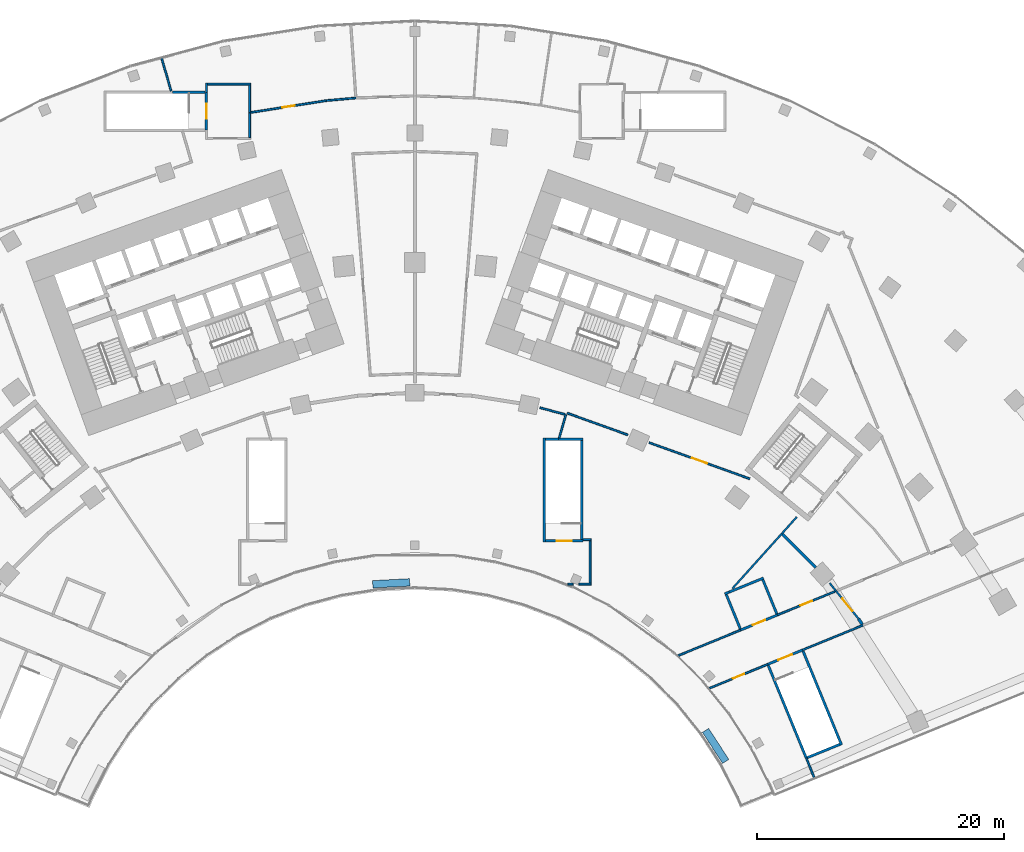
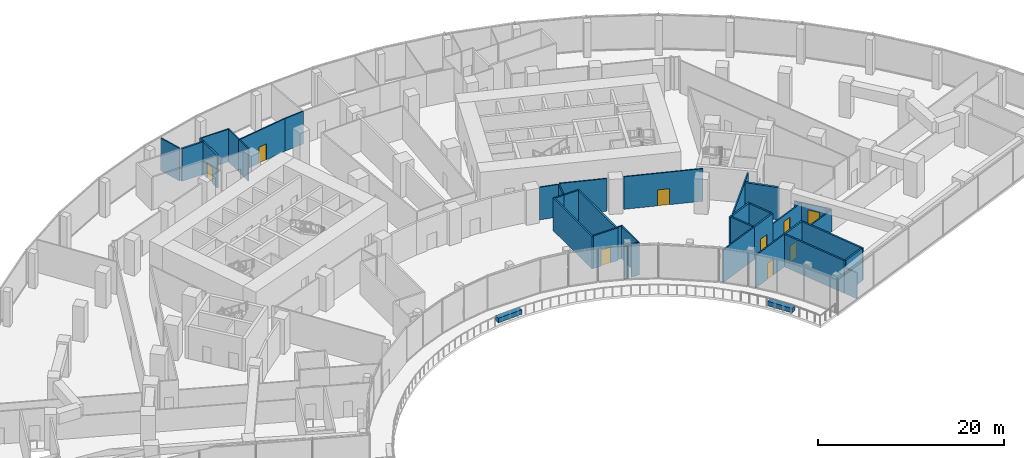
# One storey, part 25 of 33: 44 walls, 9 doors, 9 openings.
"""IFC4 building model written with IfcOpenShell, lengths in metres."""

from ifc_helpers import new_model, si_unit, direction, frame, frame_2d, origin, origin_2d, place, context, subcontext, project, spatial, rectangle, extrude, material, layer, layer_set, type_object, element, fill, save


model = new_model("IFC4")

# Units and contexts
model_context = context("Model", 3, precision=1e-05, world=origin(), true_north=direction((0.0, 1.0)))
body_context = subcontext(model_context, "Body", "Model", "MODEL_VIEW")
ifc_project = project(units=[si_unit("LENGTHUNIT", "METRE"), si_unit("AREAUNIT", "SQUARE_METRE"), si_unit("VOLUMEUNIT", "CUBIC_METRE"), si_unit("PLANEANGLEUNIT", "RADIAN"), si_unit("MASSUNIT", "GRAM", prefix="KILO")], contexts=[model_context])

# Site, building, storey
site_placement = place(None, origin())
site = spatial("IfcSite", under=ifc_project, at=site_placement, CompositionType="ELEMENT")
building_placement = place(site_placement, origin())
building = spatial("IfcBuilding", under=site, at=building_placement, Name="Stone Belt Terrace Tower", CompositionType="ELEMENT")
storey_placement = place(building_placement, frame((0.0, 0.0, 25.39990234375)))
storey = spatial("IfcBuildingStorey", under=building, at=storey_placement, Name="L05", CompositionType="ELEMENT", Elevation=25.39990234375)

# Walls
ifc_material_1 = material(Name="Concrete B30", Category="concrete")
ifc_layer_1 = layer(ifc_material_1, 0.25)
ifc_layer_set_1 = layer_set([ifc_layer_1], Name="Compartment wall 250")
wall_type_1 = type_object("IfcWallType", Name="Compartment wall 250", PredefinedType="SOLIDWALL", material=ifc_layer_set_1)
wall_1_placement = place(storey_placement, frame((29.793212890625, 32.976806640625, 0.0), z_axis=(0.0, 0.0, 1.0), x_axis=(0.707106781187, -0.707106781187, 0.0)))
element("IfcWall", 1, at=wall_1_placement, inside=storey, type_object=wall_type_1, Name="Compartment wall L05 12", PredefinedType="SOLIDWALL", context=body_context, shape_type="SweptSolid", body=[
    extrude(rectangle(XDim=3.807373046875, YDim=0.25, at=frame_2d((1.90380859375, 0.0))), origin(), (0.0, 0.0, 1.0), 4.280029296875),
])
ifc_material_2 = material(Name="Fire-resistant glazing in steel frame", Category="steel")
ifc_layer_2 = layer(ifc_material_2, 0.25)
ifc_layer_set_2 = layer_set([ifc_layer_2], Name="Glazed compartment fire screen 250")
wall_type_2 = type_object("IfcWallType", Name="Glazed compartment fire screen 250", PredefinedType="PARTITIONING", material=ifc_layer_set_2)
wall_2_placement = place(storey_placement, frame((35.96337890625, 26.11474609375, 0.0), z_axis=(0.0, 0.0, 1.0), x_axis=(0.547453853433, -0.836835873013, 0.0)))
element("IfcWall", 2, at=wall_2_placement, inside=storey, type_object=wall_type_2, Name="Compartment fire screen L05 13", PredefinedType="PARTITIONING", context=body_context, shape_type="SweptSolid", body=[
    extrude(rectangle(XDim=0.5146484375, YDim=0.25, at=frame_2d((0.25732421875, 0.0))), origin(), (0.0, 0.0, 1.0), 2.880126953125),
])
ifc_material_3 = material(Name="Precast concrete C40/50", Category="concrete")
ifc_layer_3 = layer(ifc_material_3, 0.60009765625)
ifc_layer_set_3 = layer_set([ifc_layer_3], Name="Planter box 600 x 600")
wall_type_3 = type_object("IfcWallType", Name="Planter box 600 x 600", PredefinedType="SOLIDWALL", material=ifc_layer_set_3)
for number, where, z_axis, x_axis, name in (
    (3, (-1.9150390625, 29.00048828125, 0.0), (0.0, 0.0, 1.0), (0.998629534755, 0.052335956243, 0.0), "PLANTER L05 2"),
    (4, (24.37353515625, 15.826416015625, 0.0), (0.0, 0.0, 1.0), (0.544639035015, -0.838670567945, 0.0), "PLANTER L05 1"),
):
    element("IfcWall", number, at=place(storey_placement, frame(where, z_axis=z_axis, x_axis=x_axis)), inside=storey, type_object=wall_type_3, Name=name, PredefinedType="SOLIDWALL", context=body_context, shape_type="SweptSolid", body=[
        extrude(rectangle(XDim=3.0, YDim=0.60009765625, at=origin_2d()), origin(), (0.0, 0.0, 1.0), 0.60009765625),
    ])
ifc_material_4 = material(Name="Reinforced blockwork wall, plastered both faces", Category="masonry")
ifc_layer_4 = layer(ifc_material_4, 0.199951171875)
ifc_layer_set_4 = layer_set([ifc_layer_4], Name="Podium lift shaft wall 200")
wall_type_4 = type_object("IfcWallType", Name="Podium lift shaft wall 200", PredefinedType="SOLIDWALL", material=ifc_layer_set_4)
wall_3_placement = place(storey_placement, frame((25.107666015625, 28.141845703125, 0.0), z_axis=(0.0, 0.0, 1.0), x_axis=(0.924069997534, 0.38222328508, 0.0)))
element("IfcWall", 5, at=wall_3_placement, inside=storey, type_object=wall_type_4, Name="Podium lift shaft wall 200", PredefinedType="SOLIDWALL", context=body_context, shape_type="SweptSolid", body=[
    extrude(rectangle(XDim=0.3916015625, YDim=0.199951171875, at=frame_2d((0.19580078125, 0.0))), origin(), (0.0, 0.0, 1.0), 4.280029296875),
])
wall_4_placement = place(storey_placement, frame((25.23779296875, 28.08740234375, 0.0), z_axis=(0.0, 0.0, 1.0), x_axis=(0.378442575395, -0.925624771237, 0.0)))
element("IfcWall", 6, at=wall_4_placement, inside=storey, type_object=wall_type_4, Name="Podium lift shaft wall 200", PredefinedType="SOLIDWALL", context=body_context, shape_type="SweptSolid", body=[
    extrude(rectangle(XDim=2.997802734375, YDim=0.199951171875, at=frame_2d((1.4990234375, 0.0))), origin(), (0.0, 0.0, 1.0), 4.280029296875),
])
wall_5_placement = place(storey_placement, frame((25.469970703125, 28.2900390625, 0.0), z_axis=(0.0, 0.0, 1.0), x_axis=(0.925627138915, 0.378436784291, 0.0)))
element("IfcWall", 7, at=wall_5_placement, inside=storey, type_object=wall_type_4, Name="Podium lift shaft wall 200", PredefinedType="SOLIDWALL", context=body_context, shape_type="SweptSolid", body=[
    extrude(rectangle(XDim=3.00634765625, YDim=0.199951171875, at=frame_2d((1.503173828125, 0.0))), origin(), (0.0, 0.0, 1.0), 4.280029296875),
])

# Wall, opening, door
wall_6_placement = place(storey_placement, frame((26.41015625, 25.219970703125, 0.0), z_axis=(0.0, 0.0, 1.0), x_axis=(0.92564908085, 0.378383111571, 0.0)))
wall_6 = element("IfcWall", 8, at=wall_6_placement, inside=storey, type_object=wall_type_4, Name="Podium lift shaft wall 200", PredefinedType="SOLIDWALL", context=body_context, shape_type="SweptSolid", body=[
    extrude(rectangle(XDim=3.19775390625, YDim=0.199951171875, at=frame_2d((1.598876953125, 0.0))), origin(), (0.0, 0.0, 1.0), 4.280029296875),
])
opening_1_placement = place(wall_6_placement, frame((1.048828125, 0.0, 0.0)))
opening_1 = element("IfcOpeningElement", 9, at=opening_1_placement, cuts=wall_6, Name="Opening L05-P10", PredefinedType="OPENING", context=body_context, shape_type="SweptSolid", body=[
    extrude(rectangle(XDim=1.10009765625, YDim=2.10009765625, at=frame_2d((0.550048828125, 1.050048828125))), frame((0.0, 0.10986328125, 0.0), z_axis=(0.0, -1.0, 0.0), x_axis=(1.0, 0.0, 0.0)), (0.0, 0.0, 1.0), 0.219970703125),
])
ifc_material_5 = material(Name="Stainless steel sliding landing door leaf", Category="steel")
door_type_1 = type_object("IfcDoorType", Name="Podium landing door 1100", OperationType="SLIDING_TO_LEFT", PredefinedType="DOOR", material=ifc_material_5)
door_1_placement = place(opening_1_placement, origin())
door_1 = element("IfcDoor", 10, at=door_1_placement, inside=storey, type_object=door_type_1, Name="Podium landing door 1100", OperationType="SLIDING_TO_LEFT", OverallHeight=2.10009765625, OverallWidth=1.10009765625, PredefinedType="DOOR", context=body_context, shape_type="SweptSolid", body=[
    extrude(rectangle(XDim=1.10009765625, YDim=2.10009765625, at=frame_2d((0.550048828125, 1.050048828125))), frame((0.0, 0.02490234375, 0.0), z_axis=(0.0, -1.0, 0.0), x_axis=(1.0, 0.0, 0.0)), (0.0, 0.0, 1.0), 0.050048828125),
])
fill(opening_1, door_1)

# Walls
wall_7_placement = place(storey_placement, frame((28.19775390625, 29.29736328125, 0.0), z_axis=(0.0, 0.0, 1.0), x_axis=(0.378471104771, -0.925613106461, 0.0)))
element("IfcWall", 11, at=wall_7_placement, inside=storey, type_object=wall_type_4, Name="Podium lift shaft wall 200", PredefinedType="SOLIDWALL", context=body_context, shape_type="SweptSolid", body=[
    extrude(rectangle(XDim=2.99755859375, YDim=0.199951171875, at=frame_2d((1.498779296875, 0.0))), origin(), (0.0, 0.0, 1.0), 4.280029296875),
])
ifc_material_6 = material(Name="Gypsum board on steel stud partition", Category="steel")
ifc_layer_5 = layer(ifc_material_6, 0.14990234375)
ifc_layer_set_5 = layer_set([ifc_layer_5], Name="Podium partition 150")
wall_type_5 = type_object("IfcWallType", Name="Podium partition 150", PredefinedType="PARTITIONING", material=ifc_layer_set_5)
wall_8_placement = place(storey_placement, frame((-20.5341796875, 71.6142578125, 0.0), z_axis=(0.0, 0.0, 1.0), x_axis=(0.276068760717, -0.961137887796, 0.0)))
element("IfcWall", 12, at=wall_8_placement, inside=storey, type_object=wall_type_5, Name="Podium partition 150", PredefinedType="PARTITIONING", context=body_context, shape_type="SweptSolid", body=[
    extrude(rectangle(XDim=2.82275390625, YDim=0.14990234375, at=frame_2d((1.411376953125, 0.0))), origin(), (0.0, 0.0, 1.0), 4.280029296875),
])
wall_9_placement = place(storey_placement, frame((-16.889892578125, 68.780029296875, 0.0), z_axis=(0.0, 0.0, 1.0), x_axis=(0.0, 1.0, 0.0)))
element("IfcWall", 13, at=wall_9_placement, inside=storey, type_object=wall_type_5, Name="Podium partition 150", PredefinedType="PARTITIONING", context=body_context, shape_type="SweptSolid", body=[
    extrude(rectangle(XDim=0.744873046875, YDim=0.14990234375, at=frame_2d((0.37255859375, 0.0))), origin(), (0.0, 0.0, 1.0), 4.280029296875),
])
wall_10_placement = place(storey_placement, frame((-16.81494140625, 69.449951171875, 0.0), z_axis=(0.0, 0.0, 1.0), x_axis=(1.0, 0.0, 0.0)))
element("IfcWall", 14, at=wall_10_placement, inside=storey, type_object=wall_type_5, Name="Podium partition 150", PredefinedType="PARTITIONING", context=body_context, shape_type="SweptSolid", body=[
    extrude(rectangle(XDim=3.5, YDim=0.14990234375, at=frame_2d((1.75, 0.0))), origin(), (0.0, 0.0, 1.0), 4.280029296875),
])
wall_11_placement = place(storey_placement, frame((-13.389892578125, 65.125, 0.0), z_axis=(0.0, 0.0, 1.0), x_axis=(0.0, 1.0, 0.0)))
element("IfcWall", 15, at=wall_11_placement, inside=storey, type_object=wall_type_5, Name="Podium partition 150", PredefinedType="PARTITIONING", context=body_context, shape_type="SweptSolid", body=[
    extrude(rectangle(XDim=2.0048828125, YDim=0.14990234375, at=frame_2d((1.00244140625, 0.0))), origin(), (0.0, 0.0, 1.0), 4.280029296875),
])
wall_12_placement = place(storey_placement, frame((-13.389892578125, 67.1298828125, 0.0), z_axis=(0.0, 0.0, 1.0), x_axis=(0.0, 1.0, 0.0)))
element("IfcWall", 16, at=wall_12_placement, inside=storey, type_object=wall_type_5, Name="Podium partition 150", PredefinedType="PARTITIONING", context=body_context, shape_type="SweptSolid", body=[
    extrude(rectangle(XDim=2.2451171875, YDim=0.14990234375, at=frame_2d((1.12255859375, 0.0))), origin(), (0.0, 0.0, 1.0), 4.280029296875),
])

# Wall, opening, door
wall_13_placement = place(storey_placement, frame((-13.31494140625, 67.15185546875, 0.0), z_axis=(0.0, 0.0, 1.0), x_axis=(0.987853067029, 0.155390855464, 0.0)))
wall_13 = element("IfcWall", 17, at=wall_13_placement, inside=storey, type_object=wall_type_5, Name="Podium partition 150", PredefinedType="PARTITIONING", context=body_context, shape_type="SweptSolid", body=[
    extrude(rectangle(XDim=6.22802734375, YDim=0.14990234375, at=frame_2d((3.114013671875, 0.0))), origin(), (0.0, 0.0, 1.0), 4.280029296875),
])
opening_2_placement = place(wall_13_placement, frame((2.614013671875, 0.0, 0.0)))
opening_2 = element("IfcOpeningElement", 18, at=opening_2_placement, cuts=wall_13, Name="Opening L05-P11", PredefinedType="OPENING", context=body_context, shape_type="SweptSolid", body=[
    extrude(rectangle(XDim=1.0, YDim=2.10009765625, at=frame_2d((0.5, 1.050048828125))), frame((0.0, 0.0849609375, 0.0), z_axis=(0.0, -1.0, 0.0), x_axis=(1.0, 0.0, 0.0)), (0.0, 0.0, 1.0), 0.169921875),
])
ifc_material_7 = material(Name="Steel framed door leaf", Category="steel")
door_type_2 = type_object("IfcDoorType", Name="Podium door single 1000", OperationType="SINGLE_SWING_LEFT", PredefinedType="DOOR", material=ifc_material_7)
door_2_placement = place(opening_2_placement, origin())
door_2 = element("IfcDoor", 19, at=door_2_placement, inside=storey, type_object=door_type_2, Name="Podium door single 1000", OperationType="SINGLE_SWING_LEFT", OverallHeight=2.10009765625, OverallWidth=1.0, PredefinedType="DOOR", context=body_context, shape_type="SweptSolid", body=[
    extrude(rectangle(XDim=1.0, YDim=2.10009765625, at=frame_2d((0.5, 1.050048828125))), frame((0.0, 0.02490234375, 0.0), z_axis=(0.0, -1.0, 0.0), x_axis=(1.0, 0.0, 0.0)), (0.0, 0.0, 1.0), 0.050048828125),
])
fill(opening_2, door_2)

# Walls
wall_14_placement = place(storey_placement, frame((-7.157470703125, 68.1201171875, 0.0), z_axis=(0.0, 0.0, 1.0), x_axis=(0.996125630781, 0.087941615297, 0.0)))
element("IfcWall", 20, at=wall_14_placement, inside=storey, type_object=wall_type_5, Name="Podium partition 150", PredefinedType="PARTITIONING", context=body_context, shape_type="SweptSolid", body=[
    extrude(rectangle(XDim=2.384765625, YDim=0.14990234375, at=frame_2d((1.1923828125, 0.0))), origin(), (0.0, 0.0, 1.0), 4.280029296875),
])
wall_15_placement = place(storey_placement, frame((10.13818359375, 43.23046875, 0.0), z_axis=(0.0, 0.0, 1.0), x_axis=(0.966221432729, -0.257713296001, 0.0)))
element("IfcWall", 21, at=wall_15_placement, inside=storey, type_object=wall_type_5, Name="Podium partition 150", PredefinedType="PARTITIONING", context=body_context, shape_type="SweptSolid", body=[
    extrude(rectangle(XDim=2.100341796875, YDim=0.14990234375, at=frame_2d((1.05029296875, 0.0))), origin(), (0.0, 0.0, 1.0), 4.280029296875),
])
wall_16_placement = place(storey_placement, frame((11.695068359375, 40.781005859375, 0.0), z_axis=(0.0, 0.0, 1.0), x_axis=(0.27716506246, 0.960822318721, 0.0)))
element("IfcWall", 22, at=wall_16_placement, inside=storey, type_object=wall_type_5, Name="Podium partition 150", PredefinedType="PARTITIONING", context=body_context, shape_type="SweptSolid", body=[
    extrude(rectangle(XDim=1.965087890625, YDim=0.14990234375, at=frame_2d((0.982421875, 0.0))), origin(), (0.0, 0.0, 1.0), 4.280029296875),
])
wall_17_placement = place(storey_placement, frame((12.350830078125, 42.79443359375, 0.0), z_axis=(0.0, 0.0, 1.0), x_axis=(0.940876655891, -0.338749344499, 0.0)))
element("IfcWall", 23, at=wall_17_placement, inside=storey, type_object=wall_type_5, Name="Podium partition 150", PredefinedType="PARTITIONING", context=body_context, shape_type="SweptSolid", body=[
    extrude(rectangle(XDim=5.20849609375, YDim=0.14990234375, at=frame_2d((2.604248046875, 0.0))), origin(), (0.0, 0.0, 1.0), 4.280029296875),
])

# Wall, opening, door
wall_18_placement = place(storey_placement, frame((18.986328125, 40.405517578125, 0.0), z_axis=(0.0, 0.0, 1.0), x_axis=(0.940877714709, -0.338746403619, 0.0)))
wall_18 = element("IfcWall", 24, at=wall_18_placement, inside=storey, type_object=wall_type_5, Name="Podium partition 150", PredefinedType="PARTITIONING", context=body_context, shape_type="SweptSolid", body=[
    extrude(rectangle(XDim=8.666015625, YDim=0.14990234375, at=frame_2d((4.3330078125, 0.0))), origin(), (0.0, 0.0, 1.0), 4.280029296875),
])
opening_3_placement = place(wall_18_placement, frame((3.68310546875, 0.0, 0.0)))
opening_3 = element("IfcOpeningElement", 25, at=opening_3_placement, cuts=wall_18, Name="Opening L05-P30", PredefinedType="OPENING", context=body_context, shape_type="SweptSolid", body=[
    extrude(rectangle(XDim=1.300048828125, YDim=2.10009765625, at=frame_2d((0.64990234375, 1.050048828125))), frame((0.0, 0.0849609375, 0.0), z_axis=(0.0, -1.0, 0.0), x_axis=(1.0, 0.0, 0.0)), (0.0, 0.0, 1.0), 0.169921875),
])
ifc_material_8 = material(Name="Steel framed fire door leaf", Category="steel")
door_type_3 = type_object("IfcDoorType", Name="Fire door 1300 x 2100 EI 60", OperationType="SINGLE_SWING_LEFT", PredefinedType="DOOR", material=ifc_material_8)
door_3_placement = place(opening_3_placement, origin())
door_3 = element("IfcDoor", 26, at=door_3_placement, inside=storey, type_object=door_type_3, Name="Fire door 1300 x 2100 EI 60", OperationType="SINGLE_SWING_LEFT", OverallHeight=2.10009765625, OverallWidth=1.300048828125, PredefinedType="DOOR", context=body_context, shape_type="SweptSolid", body=[
    extrude(rectangle(XDim=1.300048828125, YDim=2.10009765625, at=frame_2d((0.64990234375, 1.050048828125))), frame((0.0, 0.02490234375, 0.0), z_axis=(0.0, -1.0, 0.0), x_axis=(1.0, 0.0, 0.0)), (0.0, 0.0, 1.0), 0.050048828125),
])
fill(opening_3, door_3)

# Walls
wall_19_placement = place(storey_placement, frame((12.389892578125, 28.93994140625, 0.0), z_axis=(0.0, 0.0, 1.0), x_axis=(1.0, 0.0, 0.0)))
element("IfcWall", 27, at=wall_19_placement, inside=storey, type_object=wall_type_5, Name="Podium partition 150", PredefinedType="PARTITIONING", context=body_context, shape_type="SweptSolid", body=[
    extrude(rectangle(XDim=0.43310546875, YDim=0.14990234375, at=frame_2d((0.216552734375, 0.0))), origin(), (0.0, 0.0, 1.0), 4.280029296875),
])
wall_20_placement = place(storey_placement, frame((13.28955078125, 28.93994140625, 0.0), z_axis=(0.0, 0.0, 1.0), x_axis=(1.0, 0.0, 0.0)))
element("IfcWall", 28, at=wall_20_placement, inside=storey, type_object=wall_type_5, Name="Podium partition 150", PredefinedType="PARTITIONING", context=body_context, shape_type="SweptSolid", body=[
    extrude(rectangle(XDim=0.9853515625, YDim=0.14990234375, at=frame_2d((0.49267578125, 0.0))), origin(), (0.0, 0.0, 1.0), 4.280029296875),
])
wall_21_placement = place(storey_placement, frame((13.6298828125, 32.5400390625, 0.0), z_axis=(0.0, 0.0, 1.0), x_axis=(1.0, 0.0, 0.0)))
element("IfcWall", 29, at=wall_21_placement, inside=storey, type_object=wall_type_5, Name="Podium partition 150", PredefinedType="PARTITIONING", context=body_context, shape_type="SweptSolid", body=[
    extrude(rectangle(XDim=0.64501953125, YDim=0.14990234375, at=frame_2d((0.322509765625, 0.0))), origin(), (0.0, 0.0, 1.0), 4.280029296875),
])
wall_22_placement = place(storey_placement, frame((14.199951171875, 29.014892578125, 0.0), z_axis=(0.0, 0.0, 1.0), x_axis=(0.0, 1.0, 0.0)))
element("IfcWall", 30, at=wall_22_placement, inside=storey, type_object=wall_type_5, Name="Podium partition 150", PredefinedType="PARTITIONING", context=body_context, shape_type="SweptSolid", body=[
    extrude(rectangle(XDim=3.4501953125, YDim=0.14990234375, at=frame_2d((1.72509765625, 0.0))), origin(), (0.0, 0.0, 1.0), 4.280029296875),
])
wall_23_placement = place(storey_placement, frame((21.340087890625, 23.139892578125, 0.0), z_axis=(0.0, 0.0, 1.0), x_axis=(0.925158990715, 0.37957982283, 0.0)))
element("IfcWall", 31, at=wall_23_placement, inside=storey, type_object=wall_type_5, Name="Podium partition 150", PredefinedType="PARTITIONING", context=body_context, shape_type="SweptSolid", body=[
    extrude(rectangle(XDim=5.47998046875, YDim=0.14990234375, at=frame_2d((2.739990234375, 0.0))), origin(), (0.0, 0.0, 1.0), 4.280029296875),
])

# Wall, opening, door
wall_24_placement = place(storey_placement, frame((23.8701171875, 20.5, 0.0), z_axis=(0.0, 0.0, 1.0), x_axis=(0.925207312128, 0.379462026539, 0.0)))
wall_24 = element("IfcWall", 32, at=wall_24_placement, inside=storey, type_object=wall_type_5, Name="Podium partition 150", PredefinedType="PARTITIONING", context=body_context, shape_type="SweptSolid", body=[
    extrude(rectangle(XDim=5.1123046875, YDim=0.14990234375, at=frame_2d((2.55615234375, 0.0))), origin(), (0.0, 0.0, 1.0), 4.280029296875),
])
opening_4_placement = place(wall_24_placement, frame((2.05615234375, 0.0, 0.0)))
opening_4 = element("IfcOpeningElement", 33, at=opening_4_placement, cuts=wall_24, Name="Opening L05-P22", PredefinedType="OPENING", context=body_context, shape_type="SweptSolid", body=[
    extrude(rectangle(XDim=1.0, YDim=2.10009765625, at=frame_2d((0.5, 1.050048828125))), frame((0.0, 0.0849609375, 0.0), z_axis=(0.0, -1.0, 0.0), x_axis=(1.0, 0.0, 0.0)), (0.0, 0.0, 1.0), 0.169921875),
])
door_4_placement = place(opening_4_placement, origin())
door_4 = element("IfcDoor", 34, at=door_4_placement, inside=storey, type_object=door_type_2, Name="Podium door single 1000", OperationType="SINGLE_SWING_RIGHT", OverallHeight=2.10009765625, OverallWidth=1.0, PredefinedType="DOOR", context=body_context, shape_type="SweptSolid", body=[
    extrude(rectangle(XDim=1.0, YDim=2.10009765625, at=frame_2d((0.5, 1.050048828125))), frame((0.0, 0.02490234375, 0.0), z_axis=(0.0, -1.0, 0.0), x_axis=(1.0, 0.0, 0.0)), (0.0, 0.0, 1.0), 0.050048828125),
])
fill(opening_4, door_4)

# Wall
wall_25_placement = place(storey_placement, frame((25.72900390625, 28.576416015625, 0.0), z_axis=(0.0, 0.0, 1.0), x_axis=(0.669237004265, 0.743049010579, 0.0)))
element("IfcWall", 35, at=wall_25_placement, inside=storey, type_object=wall_type_5, Name="Podium partition 150", PredefinedType="PARTITIONING", context=body_context, shape_type="SweptSolid", body=[
    extrude(rectangle(XDim=5.993408203125, YDim=0.14990234375, at=frame_2d((2.99658203125, 0.0))), origin(), (0.0, 0.0, 1.0), 4.280029296875),
])

# Wall, opening, door
wall_26_placement = place(storey_placement, frame((29.3701171875, 26.429931640625, 0.0), z_axis=(0.0, 0.0, 1.0), x_axis=(0.92534634478, 0.379122858983, 0.0)))
wall_26 = element("IfcWall", 36, at=wall_26_placement, inside=storey, type_object=wall_type_5, Name="Podium partition 150", PredefinedType="PARTITIONING", context=body_context, shape_type="SweptSolid", body=[
    extrude(rectangle(XDim=5.04345703125, YDim=0.14990234375, at=frame_2d((2.521728515625, 0.0))), origin(), (0.0, 0.0, 1.0), 2.880126953125),
])
opening_5_placement = place(wall_26_placement, frame((2.03271484375, 0.0, 0.0)))
opening_5 = element("IfcOpeningElement", 37, at=opening_5_placement, cuts=wall_26, Name="Opening L05-P34", PredefinedType="OPENING", context=body_context, shape_type="SweptSolid", body=[
    extrude(rectangle(XDim=1.0, YDim=2.10009765625, at=frame_2d((0.5, 1.050048828125))), frame((0.0, 0.0849609375, 0.0), z_axis=(0.0, -1.0, 0.0), x_axis=(1.0, 0.0, 0.0)), (0.0, 0.0, 1.0), 0.169921875),
])
door_5_placement = place(opening_5_placement, origin())
door_5 = element("IfcDoor", 38, at=door_5_placement, inside=storey, type_object=door_type_2, Name="Podium door single 1000", OperationType="SINGLE_SWING_RIGHT", OverallHeight=2.10009765625, OverallWidth=1.0, PredefinedType="DOOR", context=body_context, shape_type="SweptSolid", body=[
    extrude(rectangle(XDim=1.0, YDim=2.10009765625, at=frame_2d((0.5, 1.050048828125))), frame((0.0, 0.02490234375, 0.0), z_axis=(0.0, -1.0, 0.0), x_axis=(1.0, 0.0, 0.0)), (0.0, 0.0, 1.0), 0.050048828125),
])
fill(opening_5, door_5)

# Walls
wall_27_placement = place(storey_placement, frame((29.739990234375, 33.030029296875, 0.0), z_axis=(0.0, 0.0, 1.0), x_axis=(0.667467773866, 0.744638684767, 0.0)))
element("IfcWall", 39, at=wall_27_placement, inside=storey, type_object=wall_type_5, Name="Podium partition 150", PredefinedType="PARTITIONING", context=body_context, shape_type="SweptSolid", body=[
    extrude(rectangle(XDim=1.812744140625, YDim=0.14990234375, at=frame_2d((0.90625, 0.0))), origin(), (0.0, 0.0, 1.0), 4.280029296875),
])
wall_28_placement = place(storey_placement, frame((31.419921875, 23.60009765625, 0.0), z_axis=(0.0, 0.0, 1.0), x_axis=(0.92530860032, 0.379214970925, 0.0)))
element("IfcWall", 40, at=wall_28_placement, inside=storey, type_object=wall_type_5, Name="Podium partition 150", PredefinedType="PARTITIONING", context=body_context, shape_type="SweptSolid", body=[
    extrude(rectangle(XDim=5.274169921875, YDim=0.14990234375, at=frame_2d((2.63720703125, 0.0))), origin(), (0.0, 0.0, 1.0), 2.880126953125),
])
wall_29_placement = place(storey_placement, frame((31.72021484375, 14.83984375, 0.0), z_axis=(0.0, 0.0, 1.0), x_axis=(0.375412514618, -0.926857833688, 0.0)))
element("IfcWall", 41, at=wall_29_placement, inside=storey, type_object=wall_type_5, Name="Podium partition 150", PredefinedType="PARTITIONING", context=body_context, shape_type="SweptSolid", body=[
    extrude(rectangle(XDim=1.70458984375, YDim=0.14990234375, at=frame_2d((0.852294921875, 0.0))), origin(), (0.0, 0.0, 1.0), 3.380126953125),
])
wall_30_placement = place(storey_placement, frame((33.61474609375, 29.01708984375, 0.0), z_axis=(0.0, 0.0, 1.0), x_axis=(0.628683813454, -0.777661020433, 0.0)))
element("IfcWall", 42, at=wall_30_placement, inside=storey, type_object=wall_type_5, Name="Podium partition 150", PredefinedType="PARTITIONING", context=body_context, shape_type="SweptSolid", body=[
    extrude(rectangle(XDim=0.8193359375, YDim=0.14990234375, at=frame_2d((0.40966796875, 0.0))), origin(), (0.0, 0.0, 1.0), 2.880126953125),
])

# Wall, opening, door
wall_31_placement = place(storey_placement, frame((34.1298828125, 28.3798828125, 0.0), z_axis=(0.0, 0.0, 1.0), x_axis=(0.629338486516, -0.777131307688, 0.0)))
wall_31 = element("IfcWall", 43, at=wall_31_placement, inside=storey, type_object=wall_type_5, Name="Podium partition 150", PredefinedType="PARTITIONING", context=body_context, shape_type="SweptSolid", body=[
    extrude(rectangle(XDim=2.904052734375, YDim=0.14990234375, at=frame_2d((1.4521484375, 0.0))), origin(), (0.0, 0.0, 1.0), 2.880126953125),
])
opening_6_placement = place(wall_31_placement, frame((0.802001953125, 0.0, 0.0)))
opening_6 = element("IfcOpeningElement", 44, at=opening_6_placement, cuts=wall_31, Name="Opening L05-P42", PredefinedType="OPENING", context=body_context, shape_type="SweptSolid", body=[
    extrude(rectangle(XDim=1.300048828125, YDim=2.10009765625, at=frame_2d((0.64990234375, 1.050048828125))), frame((0.0, 0.0849609375, 0.0), z_axis=(0.0, -1.0, 0.0), x_axis=(1.0, 0.0, 0.0)), (0.0, 0.0, 1.0), 0.169921875),
])
door_6_placement = place(opening_6_placement, origin())
door_6 = element("IfcDoor", 45, at=door_6_placement, inside=storey, type_object=door_type_3, Name="Fire door 1300 x 2100 EI 60", OperationType="SINGLE_SWING_LEFT", OverallHeight=2.10009765625, OverallWidth=1.300048828125, PredefinedType="DOOR", context=body_context, shape_type="SweptSolid", body=[
    extrude(rectangle(XDim=1.300048828125, YDim=2.10009765625, at=frame_2d((0.64990234375, 1.050048828125))), frame((0.0, 0.02490234375, 0.0), z_axis=(0.0, -1.0, 0.0), x_axis=(1.0, 0.0, 0.0)), (0.0, 0.0, 1.0), 0.050048828125),
])
fill(opening_6, door_6)

# Wall
ifc_layer_6 = layer(ifc_material_1, 0.199951171875)
ifc_layer_set_6 = layer_set([ifc_layer_6], Name="Podium stair and shaft wall 200")
wall_type_6 = type_object("IfcWallType", Name="Podium stair and shaft wall 200", PredefinedType="SOLIDWALL", material=ifc_layer_set_6)
wall_32_placement = place(storey_placement, frame((-19.639892578125, 68.780029296875, 0.0), z_axis=(0.0, 0.0, 1.0), x_axis=(1.0, 0.0, 0.0)))
element("IfcWall", 46, at=wall_32_placement, inside=storey, type_object=wall_type_6, Name="Podium stair and shaft wall 200", PredefinedType="SOLIDWALL", context=body_context, shape_type="SweptSolid", body=[
    extrude(rectangle(XDim=2.64990234375, YDim=0.199951171875, at=frame_2d((1.324951171875, 0.0))), origin(), (0.0, 0.0, 1.0), 4.280029296875),
])

# Wall, opening, door
wall_33_placement = place(storey_placement, frame((-16.889892578125, 65.719970703125, 0.0), z_axis=(0.0, 0.0, 1.0), x_axis=(0.0, 1.0, 0.0)))
wall_33 = element("IfcWall", 47, at=wall_33_placement, inside=storey, type_object=wall_type_6, Name="Podium stair and shaft wall 200", PredefinedType="SOLIDWALL", context=body_context, shape_type="SweptSolid", body=[
    extrude(rectangle(XDim=3.06005859375, YDim=0.199951171875, at=frame_2d((1.530029296875, 0.0))), origin(), (0.0, 0.0, 1.0), 4.280029296875),
])
opening_7_placement = place(wall_33_placement, frame((0.929931640625, 0.0, 0.0)))
opening_7 = element("IfcOpeningElement", 48, at=opening_7_placement, cuts=wall_33, Name="Opening L05-P07", PredefinedType="OPENING", context=body_context, shape_type="SweptSolid", body=[
    extrude(rectangle(XDim=1.199951171875, YDim=2.10009765625, at=frame_2d((0.60009765625, 1.050048828125))), frame((0.0, 0.10986328125, 0.0), z_axis=(0.0, -1.0, 0.0), x_axis=(1.0, 0.0, 0.0)), (0.0, 0.0, 1.0), 0.219970703125),
])
door_type_4 = type_object("IfcDoorType", Name="Podium door fire stair 1200", OperationType="SINGLE_SWING_LEFT", PredefinedType="DOOR", material=ifc_material_7)
door_7_placement = place(opening_7_placement, origin())
door_7 = element("IfcDoor", 49, at=door_7_placement, inside=storey, type_object=door_type_4, Name="Podium door fire stair 1200", OperationType="SINGLE_SWING_LEFT", OverallHeight=2.10009765625, OverallWidth=1.199951171875, PredefinedType="DOOR", context=body_context, shape_type="SweptSolid", body=[
    extrude(rectangle(XDim=1.199951171875, YDim=2.10009765625, at=frame_2d((0.60009765625, 1.050048828125))), frame((0.0, 0.02490234375, 0.0), z_axis=(0.0, -1.0, 0.0), x_axis=(1.0, 0.0, 0.0)), (0.0, 0.0, 1.0), 0.050048828125),
])
fill(opening_7, door_7)

# Wall
wall_34_placement = place(storey_placement, frame((10.469970703125, 32.340087890625, 0.0), z_axis=(0.0, 0.0, 1.0), x_axis=(0.0, 1.0, 0.0)))
element("IfcWall", 50, at=wall_34_placement, inside=storey, type_object=wall_type_6, Name="Podium stair and shaft wall 200", PredefinedType="SOLIDWALL", context=body_context, shape_type="SweptSolid", body=[
    extrude(rectangle(XDim=8.419921875, YDim=0.199951171875, at=frame_2d((4.2099609375, 0.0))), origin(), (0.0, 0.0, 1.0), 4.280029296875),
])

# Wall, opening, door
wall_35_placement = place(storey_placement, frame((10.570068359375, 32.43994140625, 0.0), z_axis=(0.0, 0.0, 1.0), x_axis=(1.0, 0.0, 0.0)))
wall_35 = element("IfcWall", 51, at=wall_35_placement, inside=storey, type_object=wall_type_6, Name="Podium stair and shaft wall 200", PredefinedType="SOLIDWALL", context=body_context, shape_type="SweptSolid", body=[
    extrude(rectangle(XDim=3.059814453125, YDim=0.199951171875, at=frame_2d((1.52978515625, 0.0))), origin(), (0.0, 0.0, 1.0), 4.280029296875),
])
opening_8_placement = place(wall_35_placement, frame((0.929931640625, 0.0, 0.0)))
opening_8 = element("IfcOpeningElement", 52, at=opening_8_placement, cuts=wall_35, Name="Opening L05-P06", PredefinedType="OPENING", context=body_context, shape_type="SweptSolid", body=[
    extrude(rectangle(XDim=1.199951171875, YDim=2.10009765625, at=frame_2d((0.60009765625, 1.050048828125))), frame((0.0, 0.10986328125, 0.0), z_axis=(0.0, -1.0, 0.0), x_axis=(1.0, 0.0, 0.0)), (0.0, 0.0, 1.0), 0.219970703125),
])
door_8_placement = place(opening_8_placement, origin())
door_8 = element("IfcDoor", 53, at=door_8_placement, inside=storey, type_object=door_type_4, Name="Podium door fire stair 1200", OperationType="SINGLE_SWING_RIGHT", OverallHeight=2.10009765625, OverallWidth=1.199951171875, PredefinedType="DOOR", context=body_context, shape_type="SweptSolid", body=[
    extrude(rectangle(XDim=1.199951171875, YDim=2.10009765625, at=frame_2d((0.60009765625, 1.050048828125))), frame((0.0, 0.02490234375, 0.0), z_axis=(0.0, -1.0, 0.0), x_axis=(1.0, 0.0, 0.0)), (0.0, 0.0, 1.0), 0.050048828125),
])
fill(opening_8, door_8)

# Walls
wall_36_placement = place(storey_placement, frame((10.570068359375, 40.659912109375, 0.0), z_axis=(0.0, 0.0, 1.0), x_axis=(1.0, 0.0, 0.0)))
element("IfcWall", 54, at=wall_36_placement, inside=storey, type_object=wall_type_6, Name="Podium stair and shaft wall 200", PredefinedType="SOLIDWALL", context=body_context, shape_type="SweptSolid", body=[
    extrude(rectangle(XDim=1.078125, YDim=0.199951171875, at=frame_2d((0.5390625, 0.0))), origin(), (0.0, 0.0, 1.0), 4.280029296875),
])
wall_37_placement = place(storey_placement, frame((11.64990234375, 40.659912109375, 0.0), z_axis=(0.0, 0.0, 1.0), x_axis=(1.0, 0.0, 0.0)))
element("IfcWall", 55, at=wall_37_placement, inside=storey, type_object=wall_type_6, Name="Podium stair and shaft wall 200", PredefinedType="SOLIDWALL", context=body_context, shape_type="SweptSolid", body=[
    extrude(rectangle(XDim=1.97998046875, YDim=0.199951171875, at=frame_2d((0.989990234375, 0.0))), origin(), (0.0, 0.0, 1.0), 4.280029296875),
])
wall_38_placement = place(storey_placement, frame((13.530029296875, 32.5400390625, 0.0), z_axis=(0.0, 0.0, 1.0), x_axis=(0.0, 1.0, 0.0)))
element("IfcWall", 56, at=wall_38_placement, inside=storey, type_object=wall_type_6, Name="Podium stair and shaft wall 200", PredefinedType="SOLIDWALL", context=body_context, shape_type="SweptSolid", body=[
    extrude(rectangle(XDim=8.02001953125, YDim=0.199951171875, at=frame_2d((4.010009765625, 0.0))), origin(), (0.0, 0.0, 1.0), 4.280029296875),
])

# Wall, opening, door
wall_39_placement = place(storey_placement, frame((28.60009765625, 22.43994140625, 0.0), z_axis=(0.0, 0.0, 1.0), x_axis=(0.924787502584, 0.380484001063, 0.0)))
wall_39 = element("IfcWall", 57, at=wall_39_placement, inside=storey, type_object=wall_type_6, Name="Podium stair and shaft wall 200", PredefinedType="SOLIDWALL", context=body_context, shape_type="SweptSolid", body=[
    extrude(rectangle(XDim=3.049072265625, YDim=0.199951171875, at=frame_2d((1.5244140625, 0.0))), origin(), (0.0, 0.0, 1.0), 4.280029296875),
])
opening_9_placement = place(wall_39_placement, frame((0.924560546875, 0.0, 0.0)))
opening_9 = element("IfcOpeningElement", 58, at=opening_9_placement, cuts=wall_39, Name="Opening L05-P03", PredefinedType="OPENING", context=body_context, shape_type="SweptSolid", body=[
    extrude(rectangle(XDim=1.199951171875, YDim=2.10009765625, at=frame_2d((0.60009765625, 1.050048828125))), frame((0.0, 0.10986328125, 0.0), z_axis=(0.0, -1.0, 0.0), x_axis=(1.0, 0.0, 0.0)), (0.0, 0.0, 1.0), 0.219970703125),
])
door_9_placement = place(opening_9_placement, origin())
door_9 = element("IfcDoor", 59, at=door_9_placement, inside=storey, type_object=door_type_4, Name="Podium door fire stair 1200", OperationType="SINGLE_SWING_LEFT", OverallHeight=2.10009765625, OverallWidth=1.199951171875, PredefinedType="DOOR", context=body_context, shape_type="SweptSolid", body=[
    extrude(rectangle(XDim=1.199951171875, YDim=2.10009765625, at=frame_2d((0.60009765625, 1.050048828125))), frame((0.0, 0.02490234375, 0.0), z_axis=(0.0, -1.0, 0.0), x_axis=(1.0, 0.0, 0.0)), (0.0, 0.0, 1.0), 0.050048828125),
])
fill(opening_9, door_9)

# Walls
wall_40_placement = place(storey_placement, frame((28.637939453125, 22.347412109375, 0.0), z_axis=(0.0, 0.0, 1.0), x_axis=(0.379778190266, -0.925077578476, 0.0)))
element("IfcWall", 60, at=wall_40_placement, inside=storey, type_object=wall_type_6, Name="Podium stair and shaft wall 200", PredefinedType="SOLIDWALL", context=body_context, shape_type="SweptSolid", body=[
    extrude(rectangle(XDim=8.115234375, YDim=0.199951171875, at=frame_2d((4.0576171875, 0.0))), origin(), (0.0, 0.0, 1.0), 4.280029296875),
])
wall_41_placement = place(storey_placement, frame((31.4580078125, 23.507568359375, 0.0), z_axis=(0.0, 0.0, 1.0), x_axis=(0.379325073911, -0.925263469668, 0.0)))
element("IfcWall", 61, at=wall_41_placement, inside=storey, type_object=wall_type_6, Name="Podium stair and shaft wall 200", PredefinedType="SOLIDWALL", context=body_context, shape_type="SweptSolid", body=[
    extrude(rectangle(XDim=8.224853515625, YDim=0.199951171875, at=frame_2d((4.1123046875, 0.0))), origin(), (0.0, 0.0, 1.0), 4.280029296875),
])
wall_42_placement = place(storey_placement, frame((31.8125, 14.877685546875, 0.0), z_axis=(0.0, 0.0, 1.0), x_axis=(0.925976847494, 0.377580293322, 0.0)))
element("IfcWall", 62, at=wall_42_placement, inside=storey, type_object=wall_type_6, Name="Podium stair and shaft wall 200", PredefinedType="SOLIDWALL", context=body_context, shape_type="SweptSolid", body=[
    extrude(rectangle(XDim=2.845703125, YDim=0.199951171875, at=frame_2d((1.4228515625, 0.0))), origin(), (0.0, 0.0, 1.0), 4.280029296875),
])

save(model, "model.ifc")
